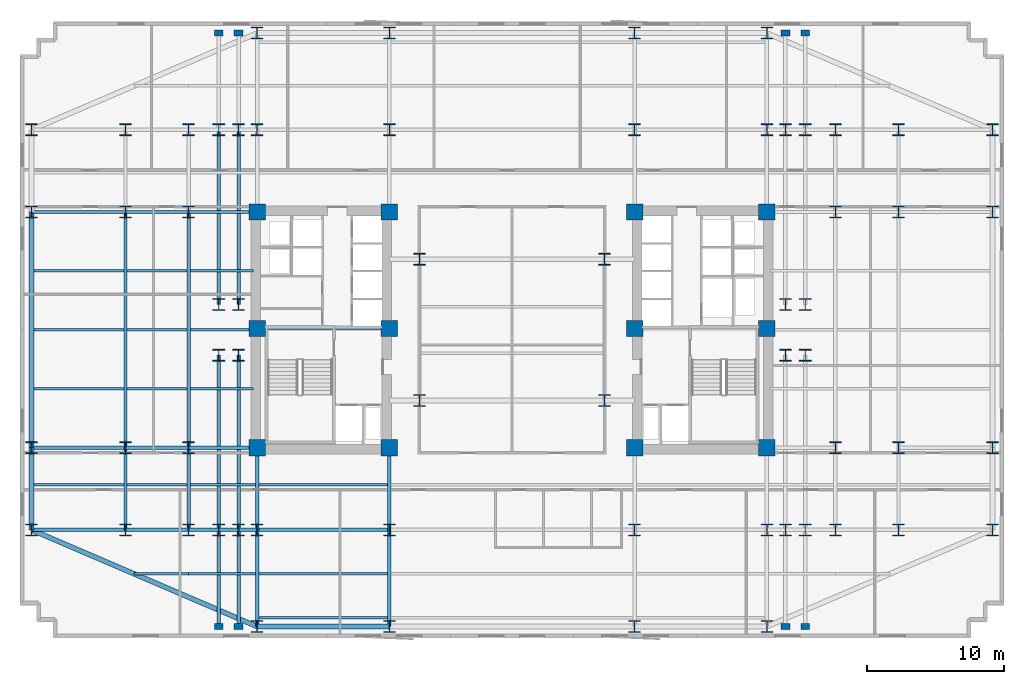
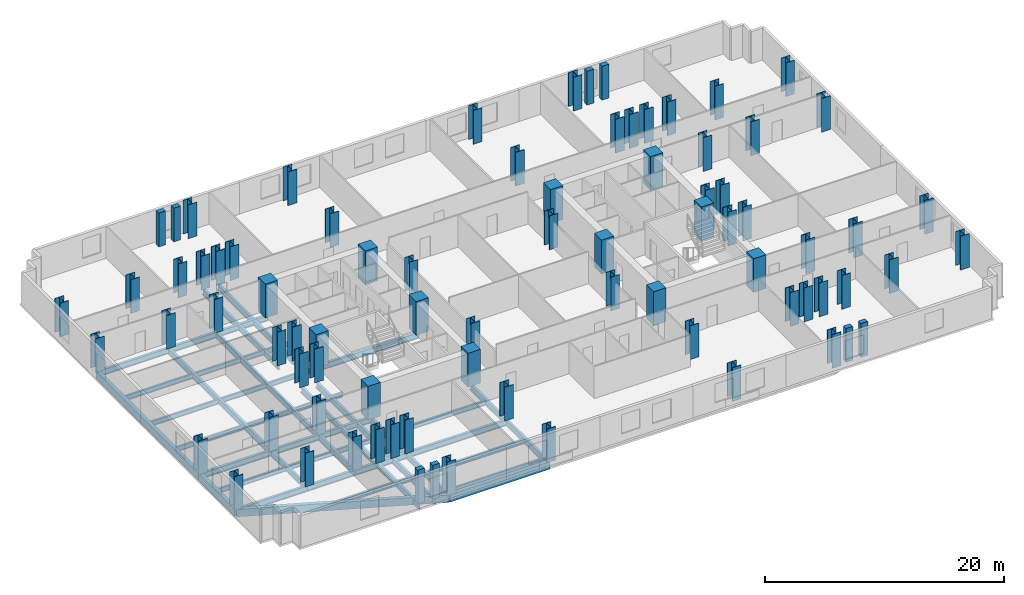
# One storey, part 1 of 10: 80 columns, 46 beams.
"""IFC4 building model written with IfcOpenShell, lengths in metres."""

from ifc_helpers import new_model, si_unit, direction, frame, origin, origin_2d, place, context, subcontext, project, spatial, rectangle, i_section, extrude, material, material_profile, profile_set, type_object, element, save


model = new_model("IFC4")

# Units and contexts
model_context = context("Model", 3, precision=1e-05, world=origin(), true_north=direction((0.0, 1.0)))
body_context = subcontext(model_context, "Body", "Model", "MODEL_VIEW")
ifc_project = project(units=[si_unit("LENGTHUNIT", "METRE"), si_unit("AREAUNIT", "SQUARE_METRE"), si_unit("VOLUMEUNIT", "CUBIC_METRE"), si_unit("PLANEANGLEUNIT", "RADIAN"), si_unit("MASSUNIT", "GRAM", prefix="KILO")], contexts=[model_context])

# Site, building, storey
site_placement = place(None, origin())
site = spatial("IfcSite", under=ifc_project, at=site_placement, CompositionType="ELEMENT")
building_placement = place(site_placement, origin())
building = spatial("IfcBuilding", under=site, at=building_placement, Name="Velakula Bourse", CompositionType="ELEMENT")
storey_placement = place(building_placement, frame((0.0, 0.0, 58.800048828125)))
storey = spatial("IfcBuildingStorey", under=building, at=storey_placement, Name="L15", CompositionType="ELEMENT", Elevation=58.800048828125)

# Columns
ifc_material_1 = material(Name="Concrete M70 (fck 70 MPa)", Category="concrete")
ifc_material_profile_1 = material_profile(ifc_material_1, rectangle(XDim=1.199951171875, YDim=1.199951171875, at=origin_2d()), Name="Concrete M70 (fck 70 MPa)")
ifc_profile_set_1 = profile_set([ifc_material_profile_1], Name="Concrete M70 (fck 70 MPa)")
column_type_1 = type_object("IfcColumnType", Name="COL-RC-1200", PredefinedType="COLUMN", material=ifc_profile_set_1)
for number, where, z_axis, x_axis, name in (
    (1, (-8.949951171875, -8.60009765625, 0.0), (0.0, 0.0, 1.0), (1.0, 0.0, 0.0), "L15 Core Boundary Column 01"),
    (2, (-8.949951171875, 0.10009765625, 0.0), (0.0, 0.0, 1.0), (1.0, 0.0, 0.0), "L15 Core Boundary Column 02"),
    (3, (-8.949951171875, 8.60009765625, 0.0), (0.0, 0.0, 1.0), (1.0, 0.0, 0.0), "L15 Core Boundary Column 03"),
    (4, (-18.60009765625, -8.60009765625, 0.0), (0.0, 0.0, 1.0), (1.0, 0.0, 0.0), "L15 Core Boundary Column 04"),
    (5, (-18.60009765625, 0.10009765625, 0.0), (0.0, 0.0, 1.0), (1.0, 0.0, 0.0), "L15 Core Boundary Column 05"),
    (6, (-18.60009765625, 8.60009765625, 0.0), (0.0, 0.0, 1.0), (1.0, 0.0, 0.0), "L15 Core Boundary Column 06"),
    (7, (8.949951171875, -8.60009765625, 0.0), (0.0, 0.0, 1.0), (1.0, 0.0, 0.0), "L15 Core Boundary Column 07"),
    (8, (8.949951171875, 0.10009765625, 0.0), (0.0, 0.0, 1.0), (1.0, 0.0, 0.0), "L15 Core Boundary Column 08"),
    (9, (8.949951171875, 8.60009765625, 0.0), (0.0, 0.0, 1.0), (1.0, 0.0, 0.0), "L15 Core Boundary Column 09"),
    (10, (18.60009765625, -8.60009765625, 0.0), (0.0, 0.0, 1.0), (1.0, 0.0, 0.0), "L15 Core Boundary Column 10"),
    (11, (18.60009765625, 0.10009765625, 0.0), (0.0, 0.0, 1.0), (1.0, 0.0, 0.0), "L15 Core Boundary Column 11"),
    (12, (18.60009765625, 8.60009765625, 0.0), (0.0, 0.0, 1.0), (1.0, 0.0, 0.0), "L15 Core Boundary Column 12"),
):
    element("IfcColumn", number, at=place(storey_placement, frame(where, z_axis=z_axis, x_axis=x_axis)), inside=storey, type_object=column_type_1, Name=name, PredefinedType="COLUMN", context=body_context, shape_type="SweptSolid", body=[
        extrude(rectangle(XDim=1.199951171875, YDim=1.199951171875, at=origin_2d()), origin(), (0.0, 0.0, 1.0), 3.449951171875),
    ])
ifc_material_2 = material(Name="Steel IS 2062 Grade 450 (E450)", Category="steel")
ifc_material_profile_2 = material_profile(ifc_material_2, i_section(OverallWidth=0.85009765625, OverallDepth=0.85009765625, WebThickness=0.031982421875, FlangeThickness=0.048095703125, at=origin_2d()), Name="Steel IS 2062 Grade 450 (E450)")
ifc_profile_set_2 = profile_set([ifc_material_profile_2], Name="Steel IS 2062 Grade 450 (E450)")
column_type_2 = type_object("IfcColumnType", Name="COL-STL-850", PredefinedType="COLUMN", material=ifc_profile_set_2)
for number, where, z_axis, x_axis, name in (
    (13, (-6.75, -5.14990234375, 0.0), (0.0, 0.0, 1.0), (1.0, 0.0, 0.0), "L15 Central Spine Column 01"),
    (14, (-6.75, 5.14990234375, 0.0), (0.0, 0.0, 1.0), (1.0, 0.0, 0.0), "L15 Central Spine Column 02"),
    (15, (6.75, -5.14990234375, 0.0), (0.0, 0.0, 1.0), (1.0, 0.0, 0.0), "L15 Central Spine Column 03"),
    (16, (6.75, 5.14990234375, 0.0), (0.0, 0.0, 1.0), (1.0, 0.0, 0.0), "L15 Central Spine Column 04"),
    (17, (-21.39990234375, -14.60009765625, 0.0), (0.0, 0.0, 1.0), (1.0, 0.0, 0.0), "L15 Tower Fulcrum Column 01"),
    (18, (-21.39990234375, 14.60009765625, 0.0), (0.0, 0.0, 1.0), (1.0, 0.0, 0.0), "L15 Tower Fulcrum Column 02"),
    (19, (-19.949951171875, -14.60009765625, 0.0), (0.0, 0.0, 1.0), (1.0, 0.0, 0.0), "L15 Tower Fulcrum Column 03"),
    (20, (-19.949951171875, 14.60009765625, 0.0), (0.0, 0.0, 1.0), (1.0, 0.0, 0.0), "L15 Tower Fulcrum Column 04"),
    (21, (-18.60009765625, -14.60009765625, 0.0), (0.0, 0.0, 1.0), (1.0, 0.0, 0.0), "L15 Tower Fulcrum Column 05"),
    (22, (-18.60009765625, 14.60009765625, 0.0), (0.0, 0.0, 1.0), (1.0, 0.0, 0.0), "L15 Tower Fulcrum Column 06"),
    (23, (-8.949951171875, -14.60009765625, 0.0), (0.0, 0.0, 1.0), (1.0, 0.0, 0.0), "L15 Tower Fulcrum Column 07"),
    (24, (-8.949951171875, 14.60009765625, 0.0), (0.0, 0.0, 1.0), (1.0, 0.0, 0.0), "L15 Tower Fulcrum Column 08"),
    (25, (8.949951171875, -14.60009765625, 0.0), (0.0, 0.0, 1.0), (1.0, 0.0, 0.0), "L15 Tower Fulcrum Column 09"),
    (26, (8.949951171875, 14.60009765625, 0.0), (0.0, 0.0, 1.0), (1.0, 0.0, 0.0), "L15 Tower Fulcrum Column 10"),
    (27, (18.60009765625, -14.60009765625, 0.0), (0.0, 0.0, 1.0), (1.0, 0.0, 0.0), "L15 Tower Fulcrum Column 11"),
    (28, (18.60009765625, 14.60009765625, 0.0), (0.0, 0.0, 1.0), (1.0, 0.0, 0.0), "L15 Tower Fulcrum Column 12"),
    (29, (19.949951171875, -14.60009765625, 0.0), (0.0, 0.0, 1.0), (1.0, 0.0, 0.0), "L15 Tower Fulcrum Column 13"),
    (30, (19.949951171875, 14.60009765625, 0.0), (0.0, 0.0, 1.0), (1.0, 0.0, 0.0), "L15 Tower Fulcrum Column 14"),
    (31, (21.39990234375, -14.60009765625, 0.0), (0.0, 0.0, 1.0), (1.0, 0.0, 0.0), "L15 Tower Fulcrum Column 15"),
    (32, (21.39990234375, 14.60009765625, 0.0), (0.0, 0.0, 1.0), (1.0, 0.0, 0.0), "L15 Tower Fulcrum Column 16"),
    (33, (-21.39990234375, -1.85009765625, 0.0), (0.0, 0.0, 1.0), (1.0, 0.0, 0.0), "L15 Tower Fulcrum Column 17"),
    (34, (-21.39990234375, 1.85009765625, 0.0), (0.0, 0.0, 1.0), (1.0, 0.0, 0.0), "L15 Tower Fulcrum Column 18"),
    (35, (-19.949951171875, -1.85009765625, 0.0), (0.0, 0.0, 1.0), (1.0, 0.0, 0.0), "L15 Tower Fulcrum Column 19"),
    (36, (-19.949951171875, 1.85009765625, 0.0), (0.0, 0.0, 1.0), (1.0, 0.0, 0.0), "L15 Tower Fulcrum Column 20"),
    (37, (19.949951171875, -1.85009765625, 0.0), (0.0, 0.0, 1.0), (1.0, 0.0, 0.0), "L15 Tower Fulcrum Column 21"),
    (38, (19.949951171875, 1.85009765625, 0.0), (0.0, 0.0, 1.0), (1.0, 0.0, 0.0), "L15 Tower Fulcrum Column 22"),
    (39, (21.39990234375, -1.85009765625, 0.0), (0.0, 0.0, 1.0), (1.0, 0.0, 0.0), "L15 Tower Fulcrum Column 23"),
    (40, (21.39990234375, 1.85009765625, 0.0), (0.0, 0.0, 1.0), (1.0, 0.0, 0.0), "L15 Tower Fulcrum Column 24"),
    (41, (-23.60009765625, -14.60009765625, 0.0), (0.0, 0.0, 1.0), (1.0, 0.0, 0.0), "L15 Mid-Wing Plumb Column 01"),
    (42, (-23.60009765625, -8.60009765625, 0.0), (0.0, 0.0, 1.0), (1.0, 0.0, 0.0), "L15 Mid-Wing Plumb Column 02"),
    (43, (-23.60009765625, 8.60009765625, 0.0), (0.0, 0.0, 1.0), (1.0, 0.0, 0.0), "L15 Mid-Wing Plumb Column 03"),
    (44, (-23.60009765625, 14.60009765625, 0.0), (0.0, 0.0, 1.0), (1.0, 0.0, 0.0), "L15 Mid-Wing Plumb Column 04"),
    (45, (23.60009765625, -14.60009765625, 0.0), (0.0, 0.0, 1.0), (1.0, 0.0, 0.0), "L15 Mid-Wing Plumb Column 05"),
    (46, (23.60009765625, -8.60009765625, 0.0), (0.0, 0.0, 1.0), (1.0, 0.0, 0.0), "L15 Mid-Wing Plumb Column 06"),
    (47, (23.60009765625, 8.60009765625, 0.0), (0.0, 0.0, 1.0), (1.0, 0.0, 0.0), "L15 Mid-Wing Plumb Column 07"),
    (48, (23.60009765625, 14.60009765625, 0.0), (0.0, 0.0, 1.0), (1.0, 0.0, 0.0), "L15 Mid-Wing Plumb Column 08"),
    (49, (-28.199951171875, -14.60009765625, 0.0), (0.0, 0.0, 1.0), (1.0, 0.0, 0.0), "L15 Lower Wing Column 01"),
    (50, (-28.199951171875, -8.60009765625, 0.0), (0.0, 0.0, 1.0), (1.0, 0.0, 0.0), "L15 Lower Wing Column 02"),
    (51, (-28.199951171875, 8.60009765625, 0.0), (0.0, 0.0, 1.0), (1.0, 0.0, 0.0), "L15 Lower Wing Column 03"),
    (52, (-28.199951171875, 14.60009765625, 0.0), (0.0, 0.0, 1.0), (1.0, 0.0, 0.0), "L15 Lower Wing Column 04"),
    (53, (28.199951171875, -14.60009765625, 0.0), (0.0, 0.0, 1.0), (1.0, 0.0, 0.0), "L15 Lower Wing Column 05"),
    (54, (28.199951171875, -8.60009765625, 0.0), (0.0, 0.0, 1.0), (1.0, 0.0, 0.0), "L15 Lower Wing Column 06"),
    (55, (28.199951171875, 8.60009765625, 0.0), (0.0, 0.0, 1.0), (1.0, 0.0, 0.0), "L15 Lower Wing Column 07"),
    (56, (28.199951171875, 14.60009765625, 0.0), (0.0, 0.0, 1.0), (1.0, 0.0, 0.0), "L15 Lower Wing Column 08"),
    (57, (-18.60009765625, -21.64990234375, 0.0), (0.0, 0.0, 1.0), (1.0, 0.0, 0.0), "L15 Block B1 Perimeter Column S1"),
    (58, (-8.949951171875, -21.64990234375, 0.0), (0.0, 0.0, 1.0), (1.0, 0.0, 0.0), "L15 Block B1 Perimeter Column S2"),
    (59, (8.949951171875, -21.64990234375, 0.0), (0.0, 0.0, 1.0), (1.0, 0.0, 0.0), "L15 Block B1 Perimeter Column S3"),
    (60, (18.60009765625, -21.64990234375, 0.0), (0.0, 0.0, 1.0), (1.0, 0.0, 0.0), "L15 Block B1 Perimeter Column S4"),
    (61, (-18.60009765625, 21.64990234375, 0.0), (0.0, 0.0, 1.0), (1.0, 0.0, 0.0), "L15 Block B1 Perimeter Column N1"),
    (62, (-8.949951171875, 21.64990234375, 0.0), (0.0, 0.0, 1.0), (1.0, 0.0, 0.0), "L15 Block B1 Perimeter Column N2"),
    (63, (8.949951171875, 21.64990234375, 0.0), (0.0, 0.0, 1.0), (1.0, 0.0, 0.0), "L15 Block B1 Perimeter Column N3"),
    (64, (18.60009765625, 21.64990234375, 0.0), (0.0, 0.0, 1.0), (1.0, 0.0, 0.0), "L15 Block B1 Perimeter Column N4"),
    (65, (-35.050048828125, -14.60009765625, 0.0), (0.0, 0.0, 1.0), (1.0, 0.0, 0.0), "L15 Block B1 Perimeter Column W1"),
    (66, (-35.050048828125, -8.60009765625, 0.0), (0.0, 0.0, 1.0), (1.0, 0.0, 0.0), "L15 Block B1 Perimeter Column W2"),
    (67, (-35.050048828125, 8.60009765625, 0.0), (0.0, 0.0, 1.0), (1.0, 0.0, 0.0), "L15 Block B1 Perimeter Column W3"),
    (68, (-35.050048828125, 14.60009765625, 0.0), (0.0, 0.0, 1.0), (1.0, 0.0, 0.0), "L15 Block B1 Perimeter Column W4"),
    (69, (35.050048828125, -14.60009765625, 0.0), (0.0, 0.0, 1.0), (1.0, 0.0, 0.0), "L15 Block B1 Perimeter Column E1"),
    (70, (35.050048828125, -8.60009765625, 0.0), (0.0, 0.0, 1.0), (1.0, 0.0, 0.0), "L15 Block B1 Perimeter Column E2"),
    (71, (35.050048828125, 8.60009765625, 0.0), (0.0, 0.0, 1.0), (1.0, 0.0, 0.0), "L15 Block B1 Perimeter Column E3"),
    (72, (35.050048828125, 14.60009765625, 0.0), (0.0, 0.0, 1.0), (1.0, 0.0, 0.0), "L15 Block B1 Perimeter Column E4"),
):
    element("IfcColumn", number, at=place(storey_placement, frame(where, z_axis=z_axis, x_axis=x_axis)), inside=storey, type_object=column_type_2, Name=name, PredefinedType="COLUMN", context=body_context, shape_type="SweptSolid", body=[
        extrude(i_section(OverallWidth=0.85009765625, OverallDepth=0.85009765625, WebThickness=0.031982421875, FlangeThickness=0.048095703125, at=origin_2d()), origin(), (0.0, 0.0, 1.0), 3.449951171875),
    ])
ifc_material_3 = material(Name="Precast concrete M45 (fck 45 MPa)", Category="concrete")
ifc_material_profile_3 = material_profile(ifc_material_3, rectangle(XDim=0.64990234375, YDim=0.449951171875, at=origin_2d()), Name="Precast concrete M45 (fck 45 MPa)")
ifc_profile_set_3 = profile_set([ifc_material_profile_3], Name="Precast concrete M45 (fck 45 MPa)")
column_type_3 = type_object("IfcColumnType", Name="PIL-BRICK-650", PredefinedType="PILASTER", material=ifc_profile_set_3)
for number, where, z_axis, x_axis, name in (
    (73, (-21.39990234375, -21.64990234375, 0.0), (0.0, 0.0, 1.0), (1.0, 0.0, 0.0), "L15 Brick Pier Pilaster 01"),
    (74, (-19.949951171875, -21.64990234375, 0.0), (0.0, 0.0, 1.0), (1.0, 0.0, 0.0), "L15 Brick Pier Pilaster 02"),
    (75, (19.949951171875, -21.64990234375, 0.0), (0.0, 0.0, 1.0), (1.0, 0.0, 0.0), "L15 Brick Pier Pilaster 03"),
    (76, (21.39990234375, -21.64990234375, 0.0), (0.0, 0.0, 1.0), (1.0, 0.0, 0.0), "L15 Brick Pier Pilaster 04"),
    (77, (-21.39990234375, 21.64990234375, 0.0), (0.0, 0.0, 1.0), (1.0, 0.0, 0.0), "L15 Brick Pier Pilaster 05"),
    (78, (-19.949951171875, 21.64990234375, 0.0), (0.0, 0.0, 1.0), (1.0, 0.0, 0.0), "L15 Brick Pier Pilaster 06"),
    (79, (19.949951171875, 21.64990234375, 0.0), (0.0, 0.0, 1.0), (1.0, 0.0, 0.0), "L15 Brick Pier Pilaster 07"),
    (80, (21.39990234375, 21.64990234375, 0.0), (0.0, 0.0, 1.0), (1.0, 0.0, 0.0), "L15 Brick Pier Pilaster 08"),
):
    element("IfcColumn", number, at=place(storey_placement, frame(where, z_axis=z_axis, x_axis=x_axis)), inside=storey, type_object=column_type_3, Name=name, PredefinedType="PILASTER", context=body_context, shape_type="SweptSolid", body=[
        extrude(rectangle(XDim=0.64990234375, YDim=0.449951171875, at=origin_2d()), origin(), (0.0, 0.0, 1.0), 3.449951171875),
    ])

# Beams
ifc_material_4 = material(Name="Steel IS 2062 Grade 350 (E350)", Category="steel")
ifc_material_profile_4 = material_profile(ifc_material_4, i_section(OverallWidth=0.25, OverallDepth=0.60009765625, WebThickness=0.01171875, FlangeThickness=0.023681640625, at=origin_2d()), Name="Steel IS 2062 Grade 350 (E350)")
ifc_profile_set_4 = profile_set([ifc_material_profile_4], Name="Steel IS 2062 Grade 350 (E350)")
beam_type_1 = type_object("IfcBeamType", Name="BM-GRD-600H", PredefinedType="BEAM", material=ifc_profile_set_4)
beam_1_placement = place(storey_placement, frame((-18.60009765625, 0.10009765625, -0.47998046875), z_axis=(1.0, 0.0, 0.0), x_axis=(0.0, 1.0, 0.0)))
element("IfcBeam", 81, at=beam_1_placement, inside=storey, type_object=beam_type_1, Name="L15 Primary Backbone Girder CRW-M", PredefinedType="BEAM", context=body_context, shape_type="SweptSolid", body=[
    extrude(i_section(OverallWidth=0.25, OverallDepth=0.60009765625, WebThickness=0.01171875, FlangeThickness=0.023681640625, at=origin_2d()), origin(), (0.0, 0.0, 1.0), 9.650146484375),
])
for number, where, z_axis, x_axis, name in (
    (82, (-18.60009765625, -14.60009765625, -0.47998046875), (0.0, 1.0, 0.0), (-1.0, 0.0, 0.0), "L15 Fulcrum Grid Girder FLC-WS"),
    (83, (-8.949951171875, -14.60009765625, -0.47998046875), (0.0, 1.0, 0.0), (-1.0, 0.0, 0.0), "L15 Fulcrum Grid Girder FLC-WCS"),
):
    element("IfcBeam", number, at=place(storey_placement, frame(where, z_axis=z_axis, x_axis=x_axis)), inside=storey, type_object=beam_type_1, Name=name, PredefinedType="BEAM", context=body_context, shape_type="SweptSolid", body=[
        extrude(i_section(OverallWidth=0.25, OverallDepth=0.60009765625, WebThickness=0.01171875, FlangeThickness=0.023681640625, at=origin_2d()), origin(), (0.0, 0.0, 1.0), 6.0),
    ])
beam_2_placement = place(storey_placement, frame((-18.60009765625, -14.60009765625, -0.47998046875), z_axis=(1.0, 0.0, 0.0), x_axis=(0.0, 1.0, 0.0)))
element("IfcBeam", 84, at=beam_2_placement, inside=storey, type_object=beam_type_1, Name="L15 Fulcrum Grid Girder FLC-S1", PredefinedType="BEAM", context=body_context, shape_type="SweptSolid", body=[
    extrude(i_section(OverallWidth=0.25, OverallDepth=0.60009765625, WebThickness=0.01171875, FlangeThickness=0.023681640625, at=origin_2d()), origin(), (0.0, 0.0, 1.0), 9.650146484375),
])
for number, where, z_axis, x_axis, name in (
    (85, (-21.39990234375, -14.60009765625, -0.47998046875), (0.0, 1.0, 0.0), (-1.0, 0.0, 0.0), "L15 Fulcrum Grid Girder FLC-PSW1"),
    (86, (-21.39990234375, 1.85009765625, -0.47998046875), (0.0, 1.0, 0.0), (-1.0, 0.0, 0.0), "L15 Fulcrum Grid Girder FLC-PNW1"),
    (87, (-19.949951171875, -14.60009765625, -0.47998046875), (0.0, 1.0, 0.0), (-1.0, 0.0, 0.0), "L15 Fulcrum Grid Girder FLC-PSW2"),
    (88, (-19.949951171875, 1.85009765625, -0.47998046875), (0.0, 1.0, 0.0), (-1.0, 0.0, 0.0), "L15 Fulcrum Grid Girder FLC-PNW2"),
):
    element("IfcBeam", number, at=place(storey_placement, frame(where, z_axis=z_axis, x_axis=x_axis)), inside=storey, type_object=beam_type_1, Name=name, PredefinedType="BEAM", context=body_context, shape_type="SweptSolid", body=[
        extrude(i_section(OverallWidth=0.25, OverallDepth=0.60009765625, WebThickness=0.01171875, FlangeThickness=0.023681640625, at=origin_2d()), origin(), (0.0, 0.0, 1.0), 12.75),
    ])
for number, where, z_axis, x_axis, name in (
    (89, (-23.60009765625, -14.60009765625, -0.47998046875), (1.0, 0.0, 0.0), (0.0, 1.0, 0.0), "L15 Fulcrum Grid Girder MWG-WS1"),
    (90, (-23.60009765625, -8.60009765625, -0.47998046875), (1.0, 0.0, 0.0), (0.0, 1.0, 0.0), "L15 Fulcrum Grid Girder MWG-WS2"),
    (91, (-23.60009765625, 8.60009765625, -0.47998046875), (1.0, 0.0, 0.0), (0.0, 1.0, 0.0), "L15 Fulcrum Grid Girder MWG-WN1"),
):
    element("IfcBeam", number, at=place(storey_placement, frame(where, z_axis=z_axis, x_axis=x_axis)), inside=storey, type_object=beam_type_1, Name=name, PredefinedType="BEAM", context=body_context, shape_type="SweptSolid", body=[
        extrude(i_section(OverallWidth=0.25, OverallDepth=0.60009765625, WebThickness=0.01171875, FlangeThickness=0.023681640625, at=origin_2d()), origin(), (0.0, 0.0, 1.0), 5.0),
    ])
beam_3_placement = place(storey_placement, frame((-23.60009765625, -14.60009765625, -0.47998046875), z_axis=(0.0, 1.0, 0.0), x_axis=(-1.0, 0.0, 0.0)))
element("IfcBeam", 92, at=beam_3_placement, inside=storey, type_object=beam_type_1, Name="L15 Fulcrum Grid Girder MWG-WNS1", PredefinedType="BEAM", context=body_context, shape_type="SweptSolid", body=[
    extrude(i_section(OverallWidth=0.25, OverallDepth=0.60009765625, WebThickness=0.01171875, FlangeThickness=0.023681640625, at=origin_2d()), origin(), (0.0, 0.0, 1.0), 6.0),
])
beam_4_placement = place(storey_placement, frame((-23.60009765625, -8.60009765625, -0.47998046875), z_axis=(0.0, 1.0, 0.0), x_axis=(-1.0, 0.0, 0.0)))
element("IfcBeam", 93, at=beam_4_placement, inside=storey, type_object=beam_type_1, Name="L15 Fulcrum Grid Girder MWG-WNS2", PredefinedType="BEAM", context=body_context, shape_type="SweptSolid", body=[
    extrude(i_section(OverallWidth=0.25, OverallDepth=0.60009765625, WebThickness=0.01171875, FlangeThickness=0.023681640625, at=origin_2d()), origin(), (0.0, 0.0, 1.0), 17.2001953125),
])
for number, where, z_axis, x_axis, name in (
    (94, (-28.199951171875, -14.60009765625, -0.47998046875), (1.0, 0.0, 0.0), (0.0, 1.0, 0.0), "L15 Fulcrum Grid Girder WNG-WS1"),
    (95, (-28.199951171875, -8.60009765625, -0.47998046875), (1.0, 0.0, 0.0), (0.0, 1.0, 0.0), "L15 Fulcrum Grid Girder WNG-WS2"),
    (96, (-28.199951171875, 8.60009765625, -0.47998046875), (1.0, 0.0, 0.0), (0.0, 1.0, 0.0), "L15 Fulcrum Grid Girder WNG-WN1"),
):
    element("IfcBeam", number, at=place(storey_placement, frame(where, z_axis=z_axis, x_axis=x_axis)), inside=storey, type_object=beam_type_1, Name=name, PredefinedType="BEAM", context=body_context, shape_type="SweptSolid", body=[
        extrude(i_section(OverallWidth=0.25, OverallDepth=0.60009765625, WebThickness=0.01171875, FlangeThickness=0.023681640625, at=origin_2d()), origin(), (0.0, 0.0, 1.0), 4.599853515625),
    ])
beam_5_placement = place(storey_placement, frame((-28.199951171875, -14.60009765625, -0.47998046875), z_axis=(0.0, 1.0, 0.0), x_axis=(-1.0, 0.0, 0.0)))
element("IfcBeam", 97, at=beam_5_placement, inside=storey, type_object=beam_type_1, Name="L15 Fulcrum Grid Girder WNG-WNS1", PredefinedType="BEAM", context=body_context, shape_type="SweptSolid", body=[
    extrude(i_section(OverallWidth=0.25, OverallDepth=0.60009765625, WebThickness=0.01171875, FlangeThickness=0.023681640625, at=origin_2d()), origin(), (0.0, 0.0, 1.0), 6.0),
])
beam_6_placement = place(storey_placement, frame((-28.199951171875, -8.60009765625, -0.47998046875), z_axis=(0.0, 1.0, 0.0), x_axis=(-1.0, 0.0, 0.0)))
element("IfcBeam", 98, at=beam_6_placement, inside=storey, type_object=beam_type_1, Name="L15 Fulcrum Grid Girder WNG-WNS2", PredefinedType="BEAM", context=body_context, shape_type="SweptSolid", body=[
    extrude(i_section(OverallWidth=0.25, OverallDepth=0.60009765625, WebThickness=0.01171875, FlangeThickness=0.023681640625, at=origin_2d()), origin(), (0.0, 0.0, 1.0), 17.2001953125),
])
for number, where, z_axis, x_axis, name in (
    (99, (-18.60009765625, -14.60009765625, -0.47998046875), (0.0, -1.0, 0.0), (1.0, 0.0, 0.0), "L15 Perimeter Tie Girder S1"),
    (100, (-8.949951171875, -14.60009765625, -0.47998046875), (0.0, -1.0, 0.0), (1.0, 0.0, 0.0), "L15 Perimeter Tie Girder S2"),
):
    element("IfcBeam", number, at=place(storey_placement, frame(where, z_axis=z_axis, x_axis=x_axis)), inside=storey, type_object=beam_type_1, Name=name, PredefinedType="BEAM", context=body_context, shape_type="SweptSolid", body=[
        extrude(i_section(OverallWidth=0.25, OverallDepth=0.60009765625, WebThickness=0.01171875, FlangeThickness=0.023681640625, at=origin_2d()), origin(), (0.0, 0.0, 1.0), 7.0498046875),
    ])
for number, where, z_axis, x_axis, name in (
    (101, (-28.199951171875, -14.60009765625, -0.47998046875), (-1.0, 0.0, 0.0), (0.0, -1.0, 0.0), "L15 Perimeter Tie Girder W1"),
    (102, (-28.199951171875, -8.60009765625, -0.47998046875), (-1.0, 0.0, 0.0), (0.0, -1.0, 0.0), "L15 Perimeter Tie Girder W2"),
    (103, (-28.199951171875, 8.60009765625, -0.47998046875), (-1.0, 0.0, 0.0), (0.0, -1.0, 0.0), "L15 Perimeter Tie Girder W3"),
):
    element("IfcBeam", number, at=place(storey_placement, frame(where, z_axis=z_axis, x_axis=x_axis)), inside=storey, type_object=beam_type_1, Name=name, PredefinedType="BEAM", context=body_context, shape_type="SweptSolid", body=[
        extrude(i_section(OverallWidth=0.25, OverallDepth=0.60009765625, WebThickness=0.01171875, FlangeThickness=0.023681640625, at=origin_2d()), origin(), (0.0, 0.0, 1.0), 6.85009765625),
    ])
for number, where, z_axis, x_axis, name in (
    (104, (-21.39990234375, -14.60009765625, -0.47998046875), (0.0, -1.0, 0.0), (1.0, 0.0, 0.0), "L15 Perimeter Tie Girder P01"),
    (105, (-19.949951171875, -14.60009765625, -0.47998046875), (0.0, -1.0, 0.0), (1.0, 0.0, 0.0), "L15 Perimeter Tie Girder P02"),
):
    element("IfcBeam", number, at=place(storey_placement, frame(where, z_axis=z_axis, x_axis=x_axis)), inside=storey, type_object=beam_type_1, Name=name, PredefinedType="BEAM", context=body_context, shape_type="SweptSolid", body=[
        extrude(i_section(OverallWidth=0.25, OverallDepth=0.60009765625, WebThickness=0.01171875, FlangeThickness=0.023681640625, at=origin_2d()), origin(), (0.0, 0.0, 1.0), 7.0498046875),
    ])
ifc_material_profile_5 = material_profile(ifc_material_4, i_section(OverallWidth=0.179931640625, OverallDepth=0.5, WebThickness=0.01025390625, FlangeThickness=0.01708984375, at=origin_2d()), Name="Steel IS 2062 Grade 350 (E350)")
ifc_profile_set_5 = profile_set([ifc_material_profile_5], Name="Steel IS 2062 Grade 350 (E350)")
beam_type_2 = type_object("IfcBeamType", Name="JST-TWR-500", PredefinedType="JOIST", material=ifc_profile_set_5)
beam_7_placement = place(storey_placement, frame((-18.47509765625, -21.0, -0.429931640625), z_axis=(1.0, 0.0, 0.0), x_axis=(0.0, 1.0, 0.0)))
element("IfcBeam", 106, at=beam_7_placement, inside=storey, type_object=beam_type_2, Name="L15 Trading Floor Composite Joist 01", PredefinedType="JOIST", context=body_context, shape_type="SweptSolid", body=[
    extrude(i_section(OverallWidth=0.179931640625, OverallDepth=0.5, WebThickness=0.01025390625, FlangeThickness=0.01708984375, at=origin_2d()), origin(), (0.0, 0.0, 1.0), 9.400146484375),
])
beam_8_placement = place(storey_placement, frame((-27.583251953125, -17.800048828125, -0.429931640625), z_axis=(1.0, 0.0, 0.0), x_axis=(0.0, 1.0, 0.0)))
element("IfcBeam", 107, at=beam_8_placement, inside=storey, type_object=beam_type_2, Name="L15 Trading Floor Composite Joist 04", PredefinedType="JOIST", context=body_context, shape_type="SweptSolid", body=[
    extrude(i_section(OverallWidth=0.179931640625, OverallDepth=0.5, WebThickness=0.01025390625, FlangeThickness=0.01708984375, at=origin_2d()), origin(), (0.0, 0.0, 1.0), 3.983154296875),
])
beam_9_placement = place(storey_placement, frame((-23.60009765625, -17.800048828125, -0.429931640625), z_axis=(1.0, 0.0, 0.0), x_axis=(0.0, 1.0, 0.0)))
element("IfcBeam", 108, at=beam_9_placement, inside=storey, type_object=beam_type_2, Name="L15 Trading Floor Composite Joist 05", PredefinedType="JOIST", context=body_context, shape_type="SweptSolid", body=[
    extrude(i_section(OverallWidth=0.179931640625, OverallDepth=0.5, WebThickness=0.01025390625, FlangeThickness=0.01708984375, at=origin_2d()), origin(), (0.0, 0.0, 1.0), 4.875),
])
beam_10_placement = place(storey_placement, frame((-18.47509765625, -17.800048828125, -0.429931640625), z_axis=(1.0, 0.0, 0.0), x_axis=(0.0, 1.0, 0.0)))
element("IfcBeam", 109, at=beam_10_placement, inside=storey, type_object=beam_type_2, Name="L15 Trading Floor Composite Joist 06", PredefinedType="JOIST", context=body_context, shape_type="SweptSolid", body=[
    extrude(i_section(OverallWidth=0.179931640625, OverallDepth=0.5, WebThickness=0.01025390625, FlangeThickness=0.01708984375, at=origin_2d()), origin(), (0.0, 0.0, 1.0), 9.400146484375),
])
beam_11_placement = place(storey_placement, frame((-34.875, -11.300048828125, -0.429931640625), z_axis=(1.0, 0.0, 0.0), x_axis=(0.0, 1.0, 0.0)))
element("IfcBeam", 110, at=beam_11_placement, inside=storey, type_object=beam_type_2, Name="L15 Trading Floor Composite Joist 11", PredefinedType="JOIST", context=body_context, shape_type="SweptSolid", body=[
    extrude(i_section(OverallWidth=0.179931640625, OverallDepth=0.5, WebThickness=0.01025390625, FlangeThickness=0.01708984375, at=origin_2d()), origin(), (0.0, 0.0, 1.0), 6.550048828125),
])
beam_12_placement = place(storey_placement, frame((-28.074951171875, -11.300048828125, -0.429931640625), z_axis=(1.0, 0.0, 0.0), x_axis=(0.0, 1.0, 0.0)))
element("IfcBeam", 111, at=beam_12_placement, inside=storey, type_object=beam_type_2, Name="L15 Trading Floor Composite Joist 12", PredefinedType="JOIST", context=body_context, shape_type="SweptSolid", body=[
    extrude(i_section(OverallWidth=0.179931640625, OverallDepth=0.5, WebThickness=0.01025390625, FlangeThickness=0.01708984375, at=origin_2d()), origin(), (0.0, 0.0, 1.0), 4.349853515625),
])
beam_13_placement = place(storey_placement, frame((-23.47509765625, -11.300048828125, -0.429931640625), z_axis=(1.0, 0.0, 0.0), x_axis=(0.0, 1.0, 0.0)))
element("IfcBeam", 112, at=beam_13_placement, inside=storey, type_object=beam_type_2, Name="L15 Trading Floor Composite Joist 13", PredefinedType="JOIST", context=body_context, shape_type="SweptSolid", body=[
    extrude(i_section(OverallWidth=0.179931640625, OverallDepth=0.5, WebThickness=0.01025390625, FlangeThickness=0.01708984375, at=origin_2d()), origin(), (0.0, 0.0, 1.0), 4.75),
])
beam_14_placement = place(storey_placement, frame((-18.47509765625, -11.300048828125, -0.429931640625), z_axis=(1.0, 0.0, 0.0), x_axis=(0.0, 1.0, 0.0)))
element("IfcBeam", 113, at=beam_14_placement, inside=storey, type_object=beam_type_2, Name="L15 Trading Floor Composite Joist 14", PredefinedType="JOIST", context=body_context, shape_type="SweptSolid", body=[
    extrude(i_section(OverallWidth=0.179931640625, OverallDepth=0.5, WebThickness=0.01025390625, FlangeThickness=0.01708984375, at=origin_2d()), origin(), (0.0, 0.0, 1.0), 9.400146484375),
])
beam_15_placement = place(storey_placement, frame((-34.875, -4.300048828125, -0.429931640625), z_axis=(1.0, 0.0, 0.0), x_axis=(0.0, 1.0, 0.0)))
element("IfcBeam", 114, at=beam_15_placement, inside=storey, type_object=beam_type_2, Name="L15 Trading Floor Composite Joist 41", PredefinedType="JOIST", context=body_context, shape_type="SweptSolid", body=[
    extrude(i_section(OverallWidth=0.179931640625, OverallDepth=0.5, WebThickness=0.01025390625, FlangeThickness=0.01708984375, at=origin_2d()), origin(), (0.0, 0.0, 1.0), 6.550048828125),
])
beam_16_placement = place(storey_placement, frame((-28.074951171875, -4.300048828125, -0.429931640625), z_axis=(1.0, 0.0, 0.0), x_axis=(0.0, 1.0, 0.0)))
element("IfcBeam", 115, at=beam_16_placement, inside=storey, type_object=beam_type_2, Name="L15 Trading Floor Composite Joist 42", PredefinedType="JOIST", context=body_context, shape_type="SweptSolid", body=[
    extrude(i_section(OverallWidth=0.179931640625, OverallDepth=0.5, WebThickness=0.01025390625, FlangeThickness=0.01708984375, at=origin_2d()), origin(), (0.0, 0.0, 1.0), 4.349853515625),
])
beam_17_placement = place(storey_placement, frame((-23.47509765625, -4.300048828125, -0.429931640625), z_axis=(1.0, 0.0, 0.0), x_axis=(0.0, 1.0, 0.0)))
element("IfcBeam", 116, at=beam_17_placement, inside=storey, type_object=beam_type_2, Name="L15 Trading Floor Composite Joist 43", PredefinedType="JOIST", context=body_context, shape_type="SweptSolid", body=[
    extrude(i_section(OverallWidth=0.179931640625, OverallDepth=0.5, WebThickness=0.01025390625, FlangeThickness=0.01708984375, at=origin_2d()), origin(), (0.0, 0.0, 1.0), 4.625),
])
beam_18_placement = place(storey_placement, frame((-34.875, 0.0, -0.429931640625), z_axis=(1.0, 0.0, 0.0), x_axis=(0.0, 1.0, 0.0)))
element("IfcBeam", 117, at=beam_18_placement, inside=storey, type_object=beam_type_2, Name="L15 Trading Floor Composite Joist 47", PredefinedType="JOIST", context=body_context, shape_type="SweptSolid", body=[
    extrude(i_section(OverallWidth=0.179931640625, OverallDepth=0.5, WebThickness=0.01025390625, FlangeThickness=0.01708984375, at=origin_2d()), origin(), (0.0, 0.0, 1.0), 6.550048828125),
])
beam_19_placement = place(storey_placement, frame((-28.074951171875, 0.0, -0.429931640625), z_axis=(1.0, 0.0, 0.0), x_axis=(0.0, 1.0, 0.0)))
element("IfcBeam", 118, at=beam_19_placement, inside=storey, type_object=beam_type_2, Name="L15 Trading Floor Composite Joist 48", PredefinedType="JOIST", context=body_context, shape_type="SweptSolid", body=[
    extrude(i_section(OverallWidth=0.179931640625, OverallDepth=0.5, WebThickness=0.01025390625, FlangeThickness=0.01708984375, at=origin_2d()), origin(), (0.0, 0.0, 1.0), 4.349853515625),
])
beam_20_placement = place(storey_placement, frame((-23.47509765625, 0.0, -0.429931640625), z_axis=(1.0, 0.0, 0.0), x_axis=(0.0, 1.0, 0.0)))
element("IfcBeam", 119, at=beam_20_placement, inside=storey, type_object=beam_type_2, Name="L15 Trading Floor Composite Joist 49", PredefinedType="JOIST", context=body_context, shape_type="SweptSolid", body=[
    extrude(i_section(OverallWidth=0.179931640625, OverallDepth=0.5, WebThickness=0.01025390625, FlangeThickness=0.01708984375, at=origin_2d()), origin(), (0.0, 0.0, 1.0), 4.625),
])
beam_21_placement = place(storey_placement, frame((-34.875, 4.300048828125, -0.429931640625), z_axis=(1.0, 0.0, 0.0), x_axis=(0.0, 1.0, 0.0)))
element("IfcBeam", 120, at=beam_21_placement, inside=storey, type_object=beam_type_2, Name="L15 Trading Floor Composite Joist 53", PredefinedType="JOIST", context=body_context, shape_type="SweptSolid", body=[
    extrude(i_section(OverallWidth=0.179931640625, OverallDepth=0.5, WebThickness=0.01025390625, FlangeThickness=0.01708984375, at=origin_2d()), origin(), (0.0, 0.0, 1.0), 6.550048828125),
])
beam_22_placement = place(storey_placement, frame((-28.074951171875, 4.300048828125, -0.429931640625), z_axis=(1.0, 0.0, 0.0), x_axis=(0.0, 1.0, 0.0)))
element("IfcBeam", 121, at=beam_22_placement, inside=storey, type_object=beam_type_2, Name="L15 Trading Floor Composite Joist 54", PredefinedType="JOIST", context=body_context, shape_type="SweptSolid", body=[
    extrude(i_section(OverallWidth=0.179931640625, OverallDepth=0.5, WebThickness=0.01025390625, FlangeThickness=0.01708984375, at=origin_2d()), origin(), (0.0, 0.0, 1.0), 4.349853515625),
])
beam_23_placement = place(storey_placement, frame((-23.47509765625, 4.300048828125, -0.429931640625), z_axis=(1.0, 0.0, 0.0), x_axis=(0.0, 1.0, 0.0)))
element("IfcBeam", 122, at=beam_23_placement, inside=storey, type_object=beam_type_2, Name="L15 Trading Floor Composite Joist 55", PredefinedType="JOIST", context=body_context, shape_type="SweptSolid", body=[
    extrude(i_section(OverallWidth=0.179931640625, OverallDepth=0.5, WebThickness=0.01025390625, FlangeThickness=0.01708984375, at=origin_2d()), origin(), (0.0, 0.0, 1.0), 4.625),
])
ifc_material_profile_6 = material_profile(ifc_material_3, rectangle(XDim=0.35009765625, YDim=0.75, at=origin_2d()), Name="Precast concrete M45 (fck 45 MPa)")
ifc_profile_set_6 = profile_set([ifc_material_profile_6], Name="Precast concrete M45 (fck 45 MPa)")
beam_type_3 = type_object("IfcBeamType", Name="SPN-BRICK-750", PredefinedType="SPANDREL", material=ifc_profile_set_6)
beam_24_placement = place(storey_placement, frame((-18.60009765625, -21.64990234375, -0.554931640625), z_axis=(1.0, 0.0, 0.0), x_axis=(0.0, 1.0, 0.0)))
element("IfcBeam", 123, at=beam_24_placement, inside=storey, type_object=beam_type_3, Name="L15 Brick-Faced Precast Spandrel S1-S2", PredefinedType="SPANDREL", context=body_context, shape_type="SweptSolid", body=[
    extrude(rectangle(XDim=0.35009765625, YDim=0.75, at=origin_2d()), origin(), (0.0, 0.0, 1.0), 9.650146484375),
])
beam_25_placement = place(storey_placement, frame((-35.050048828125, -14.60009765625, -0.554931640625), z_axis=(0.0, 1.0, 0.0), x_axis=(-1.0, 0.0, 0.0)))
element("IfcBeam", 124, at=beam_25_placement, inside=storey, type_object=beam_type_3, Name="L15 Brick-Faced Precast Spandrel W1-W2", PredefinedType="SPANDREL", context=body_context, shape_type="SweptSolid", body=[
    extrude(rectangle(XDim=0.35009765625, YDim=0.75, at=origin_2d()), origin(), (0.0, 0.0, 1.0), 6.0),
])
beam_26_placement = place(storey_placement, frame((-35.050048828125, -8.60009765625, -0.554931640625), z_axis=(0.0, 1.0, 0.0), x_axis=(-1.0, 0.0, 0.0)))
element("IfcBeam", 125, at=beam_26_placement, inside=storey, type_object=beam_type_3, Name="L15 Brick-Faced Precast Spandrel W2-W3", PredefinedType="SPANDREL", context=body_context, shape_type="SweptSolid", body=[
    extrude(rectangle(XDim=0.35009765625, YDim=0.75, at=origin_2d()), origin(), (0.0, 0.0, 1.0), 17.2001953125),
])
beam_27_placement = place(storey_placement, frame((-35.050048828125, -14.60009765625, -0.554931640625), z_axis=(0.919148557947, -0.393911066642, 0.0), x_axis=(0.393911066642, 0.919148557947, 0.0)))
element("IfcBeam", 126, at=beam_27_placement, inside=storey, type_object=beam_type_3, Name="L15 Brick-Faced Precast Spandrel W1-S1", PredefinedType="SPANDREL", context=body_context, shape_type="SweptSolid", body=[
    extrude(rectangle(XDim=0.35009765625, YDim=0.75, at=origin_2d()), origin(), (0.0, 0.0, 1.0), 17.89697265625),
])

save(model, "model.ifc")
